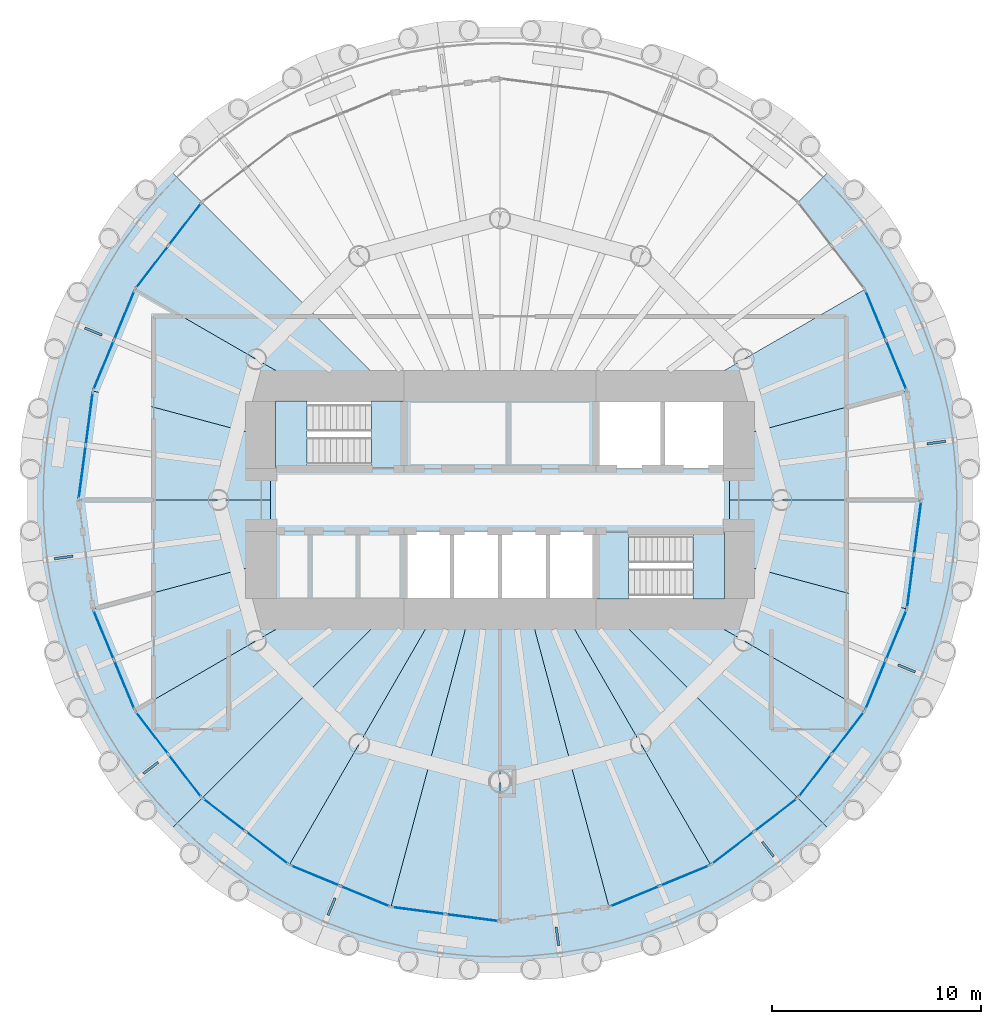
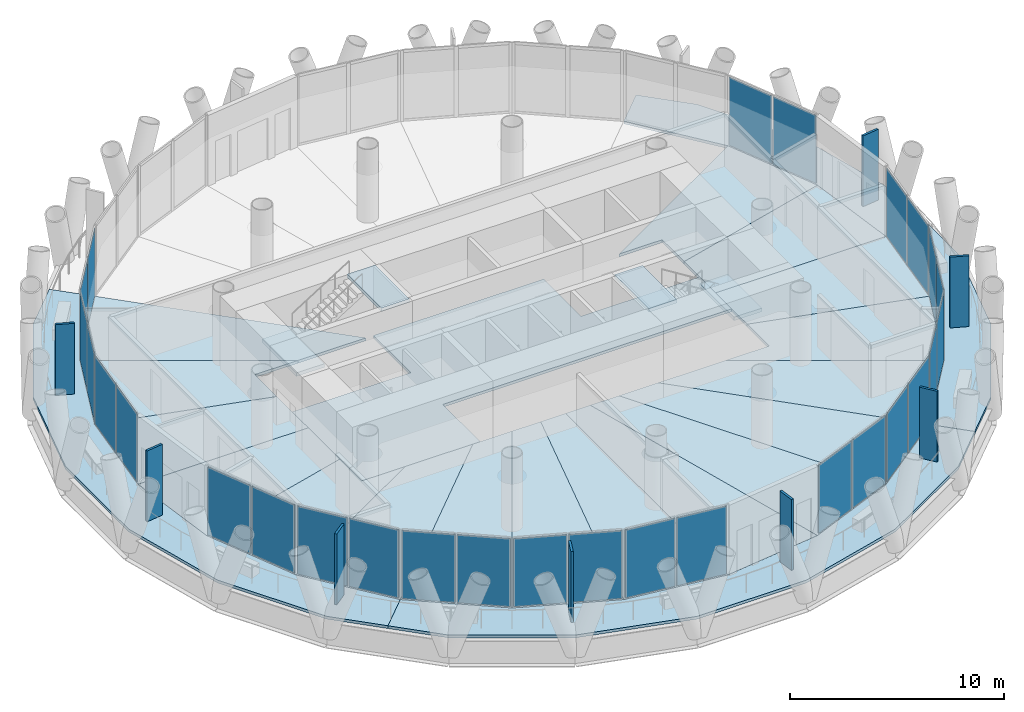
# One storey, part 7 of 13: 36 plates, 25 slabs, 16 elements without a shape of their own.
"""IFC4 building model written with IfcOpenShell, lengths in metres."""

from ifc_helpers import new_model, si_unit, direction, frame, origin, origin_2d, place, context, subcontext, project, spatial, polyline, rectangle, outline, extrude, material, layer, layer_set, type_object, element, aggregate, save


model = new_model("IFC4")

# Units and contexts
model_context = context("Model", 3, precision=1e-05, world=origin(), true_north=direction((0.0, 1.0)))
body_context = subcontext(model_context, "Body", "Model", "MODEL_VIEW")
ifc_project = project(units=[si_unit("LENGTHUNIT", "METRE"), si_unit("AREAUNIT", "SQUARE_METRE"), si_unit("VOLUMEUNIT", "CUBIC_METRE"), si_unit("PLANEANGLEUNIT", "RADIAN"), si_unit("MASSUNIT", "GRAM", prefix="KILO")], contexts=[model_context])

# Site, building, storey
site_placement = place(None, origin())
site = spatial("IfcSite", under=ifc_project, at=site_placement, CompositionType="ELEMENT")
building_placement = place(site_placement, origin())
building = spatial("IfcBuilding", under=site, at=building_placement, Name="Qaws Media Tower", CompositionType="ELEMENT")
storey_placement = place(building_placement, frame((0.0, 0.0, 219.199951171875)))
storey = spatial("IfcBuildingStorey", under=building, at=storey_placement, Name="L50", CompositionType="ELEMENT", Elevation=219.199951171875)

# Slabs
ifc_material_1 = material(Name="Concrete C35/45", Category="concrete")
ifc_layer_1 = layer(ifc_material_1, 0.159912109375)
ifc_layer_set_1 = layer_set([ifc_layer_1], Name="Composite balcony slab 160")
slab_type_1 = type_object("IfcSlabType", Name="Composite balcony slab 160", PredefinedType="FLOOR", material=ifc_layer_set_1)
slab_1_placement = place(storey_placement, frame((0.0, 0.0, -0.159912109375)))
element("IfcSlab", 1, at=slab_1_placement, inside=storey, type_object=slab_type_1, Name="S2 balcony slab L50 R10 to R16, movement joints on R10 and R16", PredefinedType="FLOOR", context=body_context, shape_type="SweptSolid", body=[
    extrude(outline(polyline([(42.0703125, 36.241943359375), (39.120361328125, 41.351318359375), (37.59326171875, 47.050048828125), (37.59326171875, 52.949951171875), (39.120361328125, 58.648681640625), (42.0703125, 63.758056640625), (44.156005859375, 65.843994140625), (45.71630859375, 64.28369140625), (42.50634765625, 60.10009765625), (40.48828125, 55.22802734375), (39.800048828125, 50.0), (40.48828125, 44.77197265625), (42.50634765625, 39.89990234375), (45.71630859375, 35.71630859375), (44.156005859375, 34.156005859375), (42.0703125, 36.241943359375)])), origin(), (0.0, 0.0, 1.0), 0.159912109375),
])
slab_2_placement = place(storey_placement, frame((0.0, 0.0, -0.159912109375)))
element("IfcSlab", 2, at=slab_2_placement, inside=storey, type_object=slab_type_1, Name="S2 balcony slab L50 R16 to R22, movement joints on R16 and R22", PredefinedType="FLOOR", context=body_context, shape_type="SweptSolid", body=[
    extrude(outline(polyline([(73.758056640625, 32.0703125), (68.648681640625, 29.120361328125), (62.949951171875, 27.59326171875), (57.050048828125, 27.59326171875), (51.351318359375, 29.120361328125), (46.241943359375, 32.0703125), (44.156005859375, 34.156005859375), (45.71630859375, 35.71630859375), (49.89990234375, 32.50634765625), (54.77197265625, 30.48828125), (60.0, 29.800048828125), (65.22802734375, 30.48828125), (70.10009765625, 32.50634765625), (74.28369140625, 35.71630859375), (75.843994140625, 34.156005859375), (73.758056640625, 32.0703125)])), origin(), (0.0, 0.0, 1.0), 0.159912109375),
])
slab_3_placement = place(storey_placement, frame((0.0, 0.0, -0.159912109375)))
element("IfcSlab", 3, at=slab_3_placement, inside=storey, type_object=slab_type_1, Name="S2 balcony slab L50 R22 to R04, movement joints on R22 and R04", PredefinedType="FLOOR", context=body_context, shape_type="SweptSolid", body=[
    extrude(outline(polyline([(80.879638671875, 41.351318359375), (77.9296875, 36.241943359375), (75.843994140625, 34.156005859375), (74.28369140625, 35.71630859375), (77.49365234375, 39.89990234375), (79.51171875, 44.77197265625), (80.199951171875, 50.0), (79.51171875, 55.22802734375), (77.49365234375, 60.10009765625), (74.28369140625, 64.28369140625), (75.843994140625, 65.843994140625), (77.9296875, 63.758056640625), (80.879638671875, 58.648681640625), (82.40673828125, 52.949951171875), (82.40673828125, 47.050048828125), (80.879638671875, 41.351318359375)])), origin(), (0.0, 0.0, 1.0), 0.159912109375),
])
ifc_material_2 = material(Name="Concrete C35/45", Category="concrete")
ifc_layer_2 = layer(ifc_material_2, 0.159912109375)
ifc_layer_set_2 = layer_set([ifc_layer_2], Name="Composite floor slab 160")
slab_type_2 = type_object("IfcSlabType", Name="Composite floor slab 160", PredefinedType="FLOOR", material=ifc_layer_set_2)
slab_4_placement = place(storey_placement, frame((0.0, 0.0, -0.159912109375)))
element("IfcSlab", 4, at=slab_4_placement, inside=storey, type_object=slab_type_2, Name="S1 core floor slab L50", PredefinedType="FLOOR", context=body_context, shape_type="SweptSolid", body=[
    extrude(outline(polyline([(71.0, 51.5), (71.0, 48.5), (55.39990234375, 48.5), (55.39990234375, 45.0), (49.0, 45.0), (49.0, 51.5), (55.39990234375, 51.5), (55.39990234375, 55.0), (64.60009765625, 55.0), (64.60009765625, 51.5), (71.0, 51.5)])), origin(), (0.0, 0.0, 1.0), 0.159912109375),
])
slab_5_placement = place(storey_placement, frame((0.0, 0.0, -0.159912109375)))
element("IfcSlab", 5, at=slab_5_placement, inside=storey, type_object=slab_type_2, Name="S1 floor panel L50 on R01+7.5", PredefinedType="FLOOR", context=body_context, shape_type="SweptSolid", body=[
    extrude(outline(polyline([(80.199951171875, 50.0), (71.0, 50.0), (71.0, 52.947509765625), (79.51171875, 55.22802734375), (80.199951171875, 50.0)])), origin(), (0.0, 0.0, 1.0), 0.159912109375),
])
slab_6_placement = place(storey_placement, frame((0.0, 0.0, -0.159912109375)))
element("IfcSlab", 6, at=slab_6_placement, inside=storey, type_object=slab_type_2, Name="S1 floor panel L50 on R02+7.5", PredefinedType="FLOOR", context=body_context, shape_type="SweptSolid", body=[
    extrude(outline(polyline([(79.51171875, 55.22802734375), (71.0, 52.947509765625), (71.0, 55.0), (68.660400390625, 55.0), (77.49365234375, 60.10009765625), (79.51171875, 55.22802734375)])), origin(), (0.0, 0.0, 1.0), 0.159912109375),
])
slab_7_placement = place(storey_placement, frame((0.0, 0.0, -0.159912109375)))
element("IfcSlab", 7, at=slab_7_placement, inside=storey, type_object=slab_type_2, Name="S1 floor panel L50 on R10+7.5", PredefinedType="FLOOR", context=body_context, shape_type="SweptSolid", body=[
    extrude(outline(polyline([(42.50634765625, 60.10009765625), (45.71630859375, 64.28369140625), (55.0, 55.0), (51.339599609375, 55.0), (42.50634765625, 60.10009765625)])), origin(), (0.0, 0.0, 1.0), 0.159912109375),
])
slab_8_placement = place(storey_placement, frame((0.0, 0.0, -0.159912109375)))
element("IfcSlab", 8, at=slab_8_placement, inside=storey, type_object=slab_type_2, Name="S1 floor panel L50 on R11+7.5", PredefinedType="FLOOR", context=body_context, shape_type="SweptSolid", body=[
    extrude(outline(polyline([(40.48828125, 55.22802734375), (42.50634765625, 60.10009765625), (51.339599609375, 55.0), (49.0, 55.0), (49.0, 52.947509765625), (40.48828125, 55.22802734375)])), origin(), (0.0, 0.0, 1.0), 0.159912109375),
])
slab_9_placement = place(storey_placement, frame((0.0, 0.0, -0.159912109375)))
element("IfcSlab", 9, at=slab_9_placement, inside=storey, type_object=slab_type_2, Name="S1 floor panel L50 on R12+7.5", PredefinedType="FLOOR", context=body_context, shape_type="SweptSolid", body=[
    extrude(outline(polyline([(40.48828125, 55.22802734375), (49.0, 52.947509765625), (49.0, 50.0), (39.800048828125, 50.0), (40.48828125, 55.22802734375)])), origin(), (0.0, 0.0, 1.0), 0.159912109375),
])
slab_10_placement = place(storey_placement, frame((0.0, 0.0, -0.159912109375)))
element("IfcSlab", 10, at=slab_10_placement, inside=storey, type_object=slab_type_2, Name="S1 floor panel L50 on R13+7.5", PredefinedType="FLOOR", context=body_context, shape_type="SweptSolid", body=[
    extrude(outline(polyline([(39.800048828125, 50.0), (49.0, 50.0), (49.0, 47.052490234375), (40.48828125, 44.77197265625), (39.800048828125, 50.0)])), origin(), (0.0, 0.0, 1.0), 0.159912109375),
])
slab_11_placement = place(storey_placement, frame((0.0, 0.0, -0.159912109375)))
element("IfcSlab", 11, at=slab_11_placement, inside=storey, type_object=slab_type_2, Name="S1 floor panel L50 on R14+7.5", PredefinedType="FLOOR", context=body_context, shape_type="SweptSolid", body=[
    extrude(outline(polyline([(40.48828125, 44.77197265625), (49.0, 47.052490234375), (49.0, 45.0), (51.339599609375, 45.0), (42.50634765625, 39.89990234375), (40.48828125, 44.77197265625)])), origin(), (0.0, 0.0, 1.0), 0.159912109375),
])
slab_12_placement = place(storey_placement, frame((0.0, 0.0, -0.159912109375)))
element("IfcSlab", 12, at=slab_12_placement, inside=storey, type_object=slab_type_2, Name="S1 floor panel L50 on R15+7.5", PredefinedType="FLOOR", context=body_context, shape_type="SweptSolid", body=[
    extrude(outline(polyline([(42.50634765625, 39.89990234375), (51.339599609375, 45.0), (55.0, 45.0), (45.71630859375, 35.71630859375), (42.50634765625, 39.89990234375)])), origin(), (0.0, 0.0, 1.0), 0.159912109375),
])
slab_13_placement = place(storey_placement, frame((0.0, 0.0, -0.159912109375)))
element("IfcSlab", 13, at=slab_13_placement, inside=storey, type_object=slab_type_2, Name="S1 floor panel L50 on R16+7.5", PredefinedType="FLOOR", context=body_context, shape_type="SweptSolid", body=[
    extrude(outline(polyline([(49.89990234375, 32.50634765625), (45.71630859375, 35.71630859375), (55.0, 45.0), (57.11328125, 45.0), (49.89990234375, 32.50634765625)])), origin(), (0.0, 0.0, 1.0), 0.159912109375),
])
slab_14_placement = place(storey_placement, frame((0.0, 0.0, -0.159912109375)))
element("IfcSlab", 14, at=slab_14_placement, inside=storey, type_object=slab_type_2, Name="S1 floor panel L50 on R17+7.5", PredefinedType="FLOOR", context=body_context, shape_type="SweptSolid", body=[
    extrude(outline(polyline([(54.77197265625, 30.48828125), (49.89990234375, 32.50634765625), (57.11328125, 45.0), (58.660400390625, 45.0), (54.77197265625, 30.48828125)])), origin(), (0.0, 0.0, 1.0), 0.159912109375),
])
slab_15_placement = place(storey_placement, frame((0.0, 0.0, -0.159912109375)))
element("IfcSlab", 15, at=slab_15_placement, inside=storey, type_object=slab_type_2, Name="S1 floor panel L50 on R18+7.5", PredefinedType="FLOOR", context=body_context, shape_type="SweptSolid", body=[
    extrude(outline(polyline([(54.77197265625, 30.48828125), (58.660400390625, 45.0), (60.0, 45.0), (60.0, 29.800048828125), (54.77197265625, 30.48828125)])), origin(), (0.0, 0.0, 1.0), 0.159912109375),
])
slab_16_placement = place(storey_placement, frame((0.0, 0.0, -0.159912109375)))
element("IfcSlab", 16, at=slab_16_placement, inside=storey, type_object=slab_type_2, Name="S1 floor panel L50 on R19+7.5", PredefinedType="FLOOR", context=body_context, shape_type="SweptSolid", body=[
    extrude(outline(polyline([(60.0, 29.800048828125), (60.0, 45.0), (61.339599609375, 45.0), (65.22802734375, 30.48828125), (60.0, 29.800048828125)])), origin(), (0.0, 0.0, 1.0), 0.159912109375),
])
slab_17_placement = place(storey_placement, frame((0.0, 0.0, -0.159912109375)))
element("IfcSlab", 17, at=slab_17_placement, inside=storey, type_object=slab_type_2, Name="S1 floor panel L50 on R20+7.5", PredefinedType="FLOOR", context=body_context, shape_type="SweptSolid", body=[
    extrude(outline(polyline([(70.10009765625, 32.50634765625), (65.22802734375, 30.48828125), (61.339599609375, 45.0), (62.88671875, 45.0), (70.10009765625, 32.50634765625)])), origin(), (0.0, 0.0, 1.0), 0.159912109375),
])
slab_18_placement = place(storey_placement, frame((0.0, 0.0, -0.159912109375)))
element("IfcSlab", 18, at=slab_18_placement, inside=storey, type_object=slab_type_2, Name="S1 floor panel L50 on R21+7.5", PredefinedType="FLOOR", context=body_context, shape_type="SweptSolid", body=[
    extrude(outline(polyline([(74.28369140625, 35.71630859375), (70.10009765625, 32.50634765625), (62.88671875, 45.0), (65.0, 45.0), (74.28369140625, 35.71630859375)])), origin(), (0.0, 0.0, 1.0), 0.159912109375),
])
slab_19_placement = place(storey_placement, frame((0.0, 0.0, -0.159912109375)))
element("IfcSlab", 19, at=slab_19_placement, inside=storey, type_object=slab_type_2, Name="S1 floor panel L50 on R22+7.5", PredefinedType="FLOOR", context=body_context, shape_type="SweptSolid", body=[
    extrude(outline(polyline([(77.49365234375, 39.89990234375), (74.28369140625, 35.71630859375), (65.0, 45.0), (68.660400390625, 45.0), (77.49365234375, 39.89990234375)])), origin(), (0.0, 0.0, 1.0), 0.159912109375),
])
slab_20_placement = place(storey_placement, frame((0.0, 0.0, -0.159912109375)))
element("IfcSlab", 20, at=slab_20_placement, inside=storey, type_object=slab_type_2, Name="S1 floor panel L50 on R23+7.5", PredefinedType="FLOOR", context=body_context, shape_type="SweptSolid", body=[
    extrude(outline(polyline([(77.49365234375, 39.89990234375), (68.660400390625, 45.0), (71.0, 45.0), (71.0, 47.052490234375), (79.51171875, 44.77197265625), (77.49365234375, 39.89990234375)])), origin(), (0.0, 0.0, 1.0), 0.159912109375),
])
slab_21_placement = place(storey_placement, frame((0.0, 0.0, -0.159912109375)))
element("IfcSlab", 21, at=slab_21_placement, inside=storey, type_object=slab_type_2, Name="S1 floor panel L50 on R24+7.5", PredefinedType="FLOOR", context=body_context, shape_type="SweptSolid", body=[
    extrude(outline(polyline([(79.51171875, 44.77197265625), (71.0, 47.052490234375), (71.0, 50.0), (80.199951171875, 50.0), (79.51171875, 44.77197265625)])), origin(), (0.0, 0.0, 1.0), 0.159912109375),
])

# Curtain wall, plates
ifc_material_3 = material(Name="Aluminium and clear glass", Category="aluminium")
curtain_wall_type = type_object("IfcCurtainWallType", Name="Unitised curtain wall CW-C", PredefinedType="NOTDEFINED", material=ifc_material_3)
curtain_wall_1_placement = place(storey_placement, origin())
curtain_wall_1 = element("IfcCurtainWall", 22, at=curtain_wall_1_placement, inside=storey, type_object=curtain_wall_type, Name="CWC curtain wall L50-02", PredefinedType="NOTDEFINED")
ifc_material_4 = material(Name="Clear laminated double glazing", Category="glass")
ifc_layer_3 = layer(ifc_material_4, 0.031982421875)
ifc_layer_set_3 = layer_set([ifc_layer_3], Name="Curtain wall glass unit 32")
plate_type_1 = type_object("IfcPlateType", Name="Curtain wall glass unit 32", PredefinedType="CURTAIN_PANEL", material=ifc_layer_set_3)
plate_1_placement = place(storey_placement, frame((78.99951171875, 56.464599609375, 0.080078125), z_axis=(0.0, 0.0, 1.0), x_axis=(-0.382683527066, 0.923879493285, 0.0)))
plate_1 = element("IfcPlate", 23, at=plate_1_placement, type_object=plate_type_1, Name="CWC panel 1.1", PredefinedType="CURTAIN_PANEL", context=body_context, shape_type="SweptSolid", body=[
    extrude(rectangle(XDim=2.5166015625, YDim=0.031982421875, at=origin_2d()), origin(), (0.0, 0.0, 1.0), 3.8798828125),
])
plate_2_placement = place(storey_placement, frame((78.005859375, 58.863525390625, 0.080078125), z_axis=(0.0, 0.0, 1.0), x_axis=(-0.382683527066, 0.923879493285, 0.0)))
plate_2 = element("IfcPlate", 24, at=plate_2_placement, type_object=plate_type_1, Name="CWC panel 2.1", PredefinedType="CURTAIN_PANEL", context=body_context, shape_type="SweptSolid", body=[
    extrude(rectangle(XDim=2.5166015625, YDim=0.031982421875, at=origin_2d()), origin(), (0.0, 0.0, 1.0), 3.8798828125),
])
aggregate(curtain_wall_1, [plate_1, plate_2])

curtain_wall_2_placement = place(storey_placement, origin())
curtain_wall_2 = element("IfcCurtainWall", 25, at=curtain_wall_2_placement, inside=storey, type_object=curtain_wall_type, Name="CWC curtain wall L50-10", PredefinedType="NOTDEFINED")
plate_3_placement = place(storey_placement, frame((44.901611328125, 63.2216796875, 0.080078125), z_axis=(0.0, 0.0, 1.0), x_axis=(-0.608761406106, -0.793353357865, 0.0)))
plate_3 = element("IfcPlate", 26, at=plate_3_placement, type_object=plate_type_1, Name="CWC panel 1.1", PredefinedType="CURTAIN_PANEL", context=body_context, shape_type="SweptSolid", body=[
    extrude(rectangle(XDim=2.5166015625, YDim=0.031982421875, at=origin_2d()), origin(), (0.0, 0.0, 1.0), 3.8798828125),
])
plate_4_placement = place(storey_placement, frame((43.321044921875, 61.161865234375, 0.080078125), z_axis=(0.0, 0.0, 1.0), x_axis=(-0.608761406106, -0.793353357865, 0.0)))
plate_4 = element("IfcPlate", 27, at=plate_4_placement, type_object=plate_type_1, Name="CWC panel 2.1", PredefinedType="CURTAIN_PANEL", context=body_context, shape_type="SweptSolid", body=[
    extrude(rectangle(XDim=2.5166015625, YDim=0.031982421875, at=origin_2d()), origin(), (0.0, 0.0, 1.0), 3.8798828125),
])
aggregate(curtain_wall_2, [plate_3, plate_4])

curtain_wall_3_placement = place(storey_placement, origin())
curtain_wall_3 = element("IfcCurtainWall", 28, at=curtain_wall_3_placement, inside=storey, type_object=curtain_wall_type, Name="CWC curtain wall L50-11", PredefinedType="NOTDEFINED")
plate_5_placement = place(storey_placement, frame((41.994140625, 58.863525390625, 0.080078125), z_axis=(0.0, 0.0, 1.0), x_axis=(-0.382683527066, -0.923879493285, 0.0)))
plate_5 = element("IfcPlate", 29, at=plate_5_placement, type_object=plate_type_1, Name="CWC panel 1.1", PredefinedType="CURTAIN_PANEL", context=body_context, shape_type="SweptSolid", body=[
    extrude(rectangle(XDim=2.5166015625, YDim=0.031982421875, at=origin_2d()), origin(), (0.0, 0.0, 1.0), 3.8798828125),
])
plate_6_placement = place(storey_placement, frame((41.00048828125, 56.464599609375, 0.080078125), z_axis=(0.0, 0.0, 1.0), x_axis=(-0.382683527066, -0.923879493285, 0.0)))
plate_6 = element("IfcPlate", 30, at=plate_6_placement, type_object=plate_type_1, Name="CWC panel 2.1", PredefinedType="CURTAIN_PANEL", context=body_context, shape_type="SweptSolid", body=[
    extrude(rectangle(XDim=2.5166015625, YDim=0.031982421875, at=origin_2d()), origin(), (0.0, 0.0, 1.0), 3.8798828125),
])
aggregate(curtain_wall_3, [plate_5, plate_6])

curtain_wall_4_placement = place(storey_placement, origin())
curtain_wall_4 = element("IfcCurtainWall", 31, at=curtain_wall_4_placement, inside=storey, type_object=curtain_wall_type, Name="CWC curtain wall L50-12", PredefinedType="NOTDEFINED")
plate_7_placement = place(storey_placement, frame((40.313720703125, 53.9013671875, 0.080078125), z_axis=(0.0, 0.0, 1.0), x_axis=(-0.130526127538, -0.991444869889, 0.0)))
plate_7 = element("IfcPlate", 32, at=plate_7_placement, type_object=plate_type_1, Name="CWC panel 1.1", PredefinedType="CURTAIN_PANEL", context=body_context, shape_type="SweptSolid", body=[
    extrude(rectangle(XDim=2.5166015625, YDim=0.031982421875, at=origin_2d()), origin(), (0.0, 0.0, 1.0), 3.8798828125),
])
plate_8_placement = place(storey_placement, frame((39.974609375, 51.326904296875, 0.080078125), z_axis=(0.0, 0.0, 1.0), x_axis=(-0.130526127538, -0.991444869889, 0.0)))
plate_8 = element("IfcPlate", 33, at=plate_8_placement, type_object=plate_type_1, Name="CWC panel 2.1", PredefinedType="CURTAIN_PANEL", context=body_context, shape_type="SweptSolid", body=[
    extrude(rectangle(XDim=2.5166015625, YDim=0.031982421875, at=origin_2d()), origin(), (0.0, 0.0, 1.0), 3.8798828125),
])
aggregate(curtain_wall_4, [plate_7, plate_8])

curtain_wall_5_placement = place(storey_placement, origin())
curtain_wall_5 = element("IfcCurtainWall", 34, at=curtain_wall_5_placement, inside=storey, type_object=curtain_wall_type, Name="CWC curtain wall L50-14", PredefinedType="NOTDEFINED")
plate_9_placement = place(storey_placement, frame((41.00048828125, 43.535400390625, 0.080078125), z_axis=(0.0, 0.0, 1.0), x_axis=(0.382683527066, -0.923879493285, 0.0)))
plate_9 = element("IfcPlate", 35, at=plate_9_placement, type_object=plate_type_1, Name="CWC panel 1.1", PredefinedType="CURTAIN_PANEL", context=body_context, shape_type="SweptSolid", body=[
    extrude(rectangle(XDim=2.5166015625, YDim=0.031982421875, at=origin_2d()), origin(), (0.0, 0.0, 1.0), 3.8798828125),
])
plate_10_placement = place(storey_placement, frame((41.994140625, 41.136474609375, 0.080078125), z_axis=(0.0, 0.0, 1.0), x_axis=(0.382683527066, -0.923879493285, 0.0)))
plate_10 = element("IfcPlate", 36, at=plate_10_placement, type_object=plate_type_1, Name="CWC panel 2.1", PredefinedType="CURTAIN_PANEL", context=body_context, shape_type="SweptSolid", body=[
    extrude(rectangle(XDim=2.5166015625, YDim=0.031982421875, at=origin_2d()), origin(), (0.0, 0.0, 1.0), 3.8798828125),
])
aggregate(curtain_wall_5, [plate_9, plate_10])

curtain_wall_6_placement = place(storey_placement, origin())
curtain_wall_6 = element("IfcCurtainWall", 37, at=curtain_wall_6_placement, inside=storey, type_object=curtain_wall_type, Name="CWC curtain wall L50-15", PredefinedType="NOTDEFINED")
plate_11_placement = place(storey_placement, frame((43.321044921875, 38.838134765625, 0.080078125), z_axis=(0.0, 0.0, 1.0), x_axis=(0.608761406106, -0.793353357865, 0.0)))
plate_11 = element("IfcPlate", 38, at=plate_11_placement, type_object=plate_type_1, Name="CWC panel 1.1", PredefinedType="CURTAIN_PANEL", context=body_context, shape_type="SweptSolid", body=[
    extrude(rectangle(XDim=2.5166015625, YDim=0.031982421875, at=origin_2d()), origin(), (0.0, 0.0, 1.0), 3.8798828125),
])
plate_12_placement = place(storey_placement, frame((44.901611328125, 36.7783203125, 0.080078125), z_axis=(0.0, 0.0, 1.0), x_axis=(0.608761406106, -0.793353357865, 0.0)))
plate_12 = element("IfcPlate", 39, at=plate_12_placement, type_object=plate_type_1, Name="CWC panel 2.1", PredefinedType="CURTAIN_PANEL", context=body_context, shape_type="SweptSolid", body=[
    extrude(rectangle(XDim=2.5166015625, YDim=0.031982421875, at=origin_2d()), origin(), (0.0, 0.0, 1.0), 3.8798828125),
])
aggregate(curtain_wall_6, [plate_11, plate_12])

curtain_wall_7_placement = place(storey_placement, origin())
curtain_wall_7 = element("IfcCurtainWall", 40, at=curtain_wall_7_placement, inside=storey, type_object=curtain_wall_type, Name="CWC curtain wall L50-16", PredefinedType="NOTDEFINED")
plate_13_placement = place(storey_placement, frame((46.7783203125, 34.901611328125, 0.080078125), z_axis=(0.0, 0.0, 1.0), x_axis=(0.793353357865, -0.608761406106, 0.0)))
plate_13 = element("IfcPlate", 41, at=plate_13_placement, type_object=plate_type_1, Name="CWC panel 1.1", PredefinedType="CURTAIN_PANEL", context=body_context, shape_type="SweptSolid", body=[
    extrude(rectangle(XDim=2.5166015625, YDim=0.031982421875, at=origin_2d()), origin(), (0.0, 0.0, 1.0), 3.8798828125),
])
plate_14_placement = place(storey_placement, frame((48.838134765625, 33.321044921875, 0.080078125), z_axis=(0.0, 0.0, 1.0), x_axis=(0.793353357865, -0.608761406106, 0.0)))
plate_14 = element("IfcPlate", 42, at=plate_14_placement, type_object=plate_type_1, Name="CWC panel 2.1", PredefinedType="CURTAIN_PANEL", context=body_context, shape_type="SweptSolid", body=[
    extrude(rectangle(XDim=2.5166015625, YDim=0.031982421875, at=origin_2d()), origin(), (0.0, 0.0, 1.0), 3.8798828125),
])
aggregate(curtain_wall_7, [plate_13, plate_14])

curtain_wall_8_placement = place(storey_placement, origin())
curtain_wall_8 = element("IfcCurtainWall", 43, at=curtain_wall_8_placement, inside=storey, type_object=curtain_wall_type, Name="CWC curtain wall L50-17", PredefinedType="NOTDEFINED")
plate_15_placement = place(storey_placement, frame((51.136474609375, 31.994140625, 0.080078125), z_axis=(0.0, 0.0, 1.0), x_axis=(0.923879493285, -0.382683527066, 0.0)))
plate_15 = element("IfcPlate", 44, at=plate_15_placement, type_object=plate_type_1, Name="CWC panel 1.1", PredefinedType="CURTAIN_PANEL", context=body_context, shape_type="SweptSolid", body=[
    extrude(rectangle(XDim=2.5166015625, YDim=0.031982421875, at=origin_2d()), origin(), (0.0, 0.0, 1.0), 3.8798828125),
])
plate_16_placement = place(storey_placement, frame((53.535400390625, 31.00048828125, 0.080078125), z_axis=(0.0, 0.0, 1.0), x_axis=(0.923879493285, -0.382683527066, 0.0)))
plate_16 = element("IfcPlate", 45, at=plate_16_placement, type_object=plate_type_1, Name="CWC panel 2.1", PredefinedType="CURTAIN_PANEL", context=body_context, shape_type="SweptSolid", body=[
    extrude(rectangle(XDim=2.5166015625, YDim=0.031982421875, at=origin_2d()), origin(), (0.0, 0.0, 1.0), 3.8798828125),
])
aggregate(curtain_wall_8, [plate_15, plate_16])

curtain_wall_9_placement = place(storey_placement, origin())
curtain_wall_9 = element("IfcCurtainWall", 46, at=curtain_wall_9_placement, inside=storey, type_object=curtain_wall_type, Name="CWC curtain wall L50-18", PredefinedType="NOTDEFINED")
plate_17_placement = place(storey_placement, frame((56.0986328125, 30.313720703125, 0.080078125), z_axis=(0.0, 0.0, 1.0), x_axis=(0.991444869889, -0.130526127538, 0.0)))
plate_17 = element("IfcPlate", 47, at=plate_17_placement, type_object=plate_type_1, Name="CWC panel 1.1", PredefinedType="CURTAIN_PANEL", context=body_context, shape_type="SweptSolid", body=[
    extrude(rectangle(XDim=2.5166015625, YDim=0.031982421875, at=origin_2d()), origin(), (0.0, 0.0, 1.0), 3.8798828125),
])
plate_18_placement = place(storey_placement, frame((58.673095703125, 29.974609375, 0.080078125), z_axis=(0.0, 0.0, 1.0), x_axis=(0.991444869889, -0.130526127538, 0.0)))
plate_18 = element("IfcPlate", 48, at=plate_18_placement, type_object=plate_type_1, Name="CWC panel 2.1", PredefinedType="CURTAIN_PANEL", context=body_context, shape_type="SweptSolid", body=[
    extrude(rectangle(XDim=2.5166015625, YDim=0.031982421875, at=origin_2d()), origin(), (0.0, 0.0, 1.0), 3.8798828125),
])
aggregate(curtain_wall_9, [plate_17, plate_18])

curtain_wall_10_placement = place(storey_placement, origin())
curtain_wall_10 = element("IfcCurtainWall", 49, at=curtain_wall_10_placement, inside=storey, type_object=curtain_wall_type, Name="CWC curtain wall L50-20", PredefinedType="NOTDEFINED")
plate_19_placement = place(storey_placement, frame((66.464599609375, 31.00048828125, 0.080078125), z_axis=(0.0, 0.0, 1.0), x_axis=(0.923879493285, 0.382683527066, 0.0)))
plate_19 = element("IfcPlate", 50, at=plate_19_placement, type_object=plate_type_1, Name="CWC panel 1.1", PredefinedType="CURTAIN_PANEL", context=body_context, shape_type="SweptSolid", body=[
    extrude(rectangle(XDim=2.5166015625, YDim=0.031982421875, at=origin_2d()), origin(), (0.0, 0.0, 1.0), 3.8798828125),
])
plate_20_placement = place(storey_placement, frame((68.863525390625, 31.994140625, 0.080078125), z_axis=(0.0, 0.0, 1.0), x_axis=(0.923879493285, 0.382683527066, 0.0)))
plate_20 = element("IfcPlate", 51, at=plate_20_placement, type_object=plate_type_1, Name="CWC panel 2.1", PredefinedType="CURTAIN_PANEL", context=body_context, shape_type="SweptSolid", body=[
    extrude(rectangle(XDim=2.5166015625, YDim=0.031982421875, at=origin_2d()), origin(), (0.0, 0.0, 1.0), 3.8798828125),
])
aggregate(curtain_wall_10, [plate_19, plate_20])

curtain_wall_11_placement = place(storey_placement, origin())
curtain_wall_11 = element("IfcCurtainWall", 52, at=curtain_wall_11_placement, inside=storey, type_object=curtain_wall_type, Name="CWC curtain wall L50-21", PredefinedType="NOTDEFINED")
plate_21_placement = place(storey_placement, frame((71.161865234375, 33.321044921875, 0.080078125), z_axis=(0.0, 0.0, 1.0), x_axis=(0.793353357865, 0.608761406106, 0.0)))
plate_21 = element("IfcPlate", 53, at=plate_21_placement, type_object=plate_type_1, Name="CWC panel 1.1", PredefinedType="CURTAIN_PANEL", context=body_context, shape_type="SweptSolid", body=[
    extrude(rectangle(XDim=2.5166015625, YDim=0.031982421875, at=origin_2d()), origin(), (0.0, 0.0, 1.0), 3.8798828125),
])
plate_22_placement = place(storey_placement, frame((73.2216796875, 34.901611328125, 0.080078125), z_axis=(0.0, 0.0, 1.0), x_axis=(0.793353357865, 0.608761406106, 0.0)))
plate_22 = element("IfcPlate", 54, at=plate_22_placement, type_object=plate_type_1, Name="CWC panel 2.1", PredefinedType="CURTAIN_PANEL", context=body_context, shape_type="SweptSolid", body=[
    extrude(rectangle(XDim=2.5166015625, YDim=0.031982421875, at=origin_2d()), origin(), (0.0, 0.0, 1.0), 3.8798828125),
])
aggregate(curtain_wall_11, [plate_21, plate_22])

curtain_wall_12_placement = place(storey_placement, origin())
curtain_wall_12 = element("IfcCurtainWall", 55, at=curtain_wall_12_placement, inside=storey, type_object=curtain_wall_type, Name="CWC curtain wall L50-22", PredefinedType="NOTDEFINED")
plate_23_placement = place(storey_placement, frame((75.098388671875, 36.7783203125, 0.080078125), z_axis=(0.0, 0.0, 1.0), x_axis=(0.608761406106, 0.793353357865, 0.0)))
plate_23 = element("IfcPlate", 56, at=plate_23_placement, type_object=plate_type_1, Name="CWC panel 1.1", PredefinedType="CURTAIN_PANEL", context=body_context, shape_type="SweptSolid", body=[
    extrude(rectangle(XDim=2.5166015625, YDim=0.031982421875, at=origin_2d()), origin(), (0.0, 0.0, 1.0), 3.8798828125),
])
plate_24_placement = place(storey_placement, frame((76.678955078125, 38.838134765625, 0.080078125), z_axis=(0.0, 0.0, 1.0), x_axis=(0.608761406106, 0.793353357865, 0.0)))
plate_24 = element("IfcPlate", 57, at=plate_24_placement, type_object=plate_type_1, Name="CWC panel 2.1", PredefinedType="CURTAIN_PANEL", context=body_context, shape_type="SweptSolid", body=[
    extrude(rectangle(XDim=2.5166015625, YDim=0.031982421875, at=origin_2d()), origin(), (0.0, 0.0, 1.0), 3.8798828125),
])
aggregate(curtain_wall_12, [plate_23, plate_24])

curtain_wall_13_placement = place(storey_placement, origin())
curtain_wall_13 = element("IfcCurtainWall", 58, at=curtain_wall_13_placement, inside=storey, type_object=curtain_wall_type, Name="CWC curtain wall L50-23", PredefinedType="NOTDEFINED")
plate_25_placement = place(storey_placement, frame((78.005859375, 41.136474609375, 0.080078125), z_axis=(0.0, 0.0, 1.0), x_axis=(0.382683527066, 0.923879493285, 0.0)))
plate_25 = element("IfcPlate", 59, at=plate_25_placement, type_object=plate_type_1, Name="CWC panel 1.1", PredefinedType="CURTAIN_PANEL", context=body_context, shape_type="SweptSolid", body=[
    extrude(rectangle(XDim=2.5166015625, YDim=0.031982421875, at=origin_2d()), origin(), (0.0, 0.0, 1.0), 3.8798828125),
])
plate_26_placement = place(storey_placement, frame((78.99951171875, 43.535400390625, 0.080078125), z_axis=(0.0, 0.0, 1.0), x_axis=(0.382683527066, 0.923879493285, 0.0)))
plate_26 = element("IfcPlate", 60, at=plate_26_placement, type_object=plate_type_1, Name="CWC panel 2.1", PredefinedType="CURTAIN_PANEL", context=body_context, shape_type="SweptSolid", body=[
    extrude(rectangle(XDim=2.5166015625, YDim=0.031982421875, at=origin_2d()), origin(), (0.0, 0.0, 1.0), 3.8798828125),
])
aggregate(curtain_wall_13, [plate_25, plate_26])

curtain_wall_14_placement = place(storey_placement, origin())
curtain_wall_14 = element("IfcCurtainWall", 61, at=curtain_wall_14_placement, inside=storey, type_object=curtain_wall_type, Name="CWC curtain wall L50-24", PredefinedType="NOTDEFINED")
plate_27_placement = place(storey_placement, frame((79.686279296875, 46.0986328125, 0.080078125), z_axis=(0.0, 0.0, 1.0), x_axis=(0.130526127538, 0.991444869889, 0.0)))
plate_27 = element("IfcPlate", 62, at=plate_27_placement, type_object=plate_type_1, Name="CWC panel 1.1", PredefinedType="CURTAIN_PANEL", context=body_context, shape_type="SweptSolid", body=[
    extrude(rectangle(XDim=2.5166015625, YDim=0.031982421875, at=origin_2d()), origin(), (0.0, 0.0, 1.0), 3.8798828125),
])
plate_28_placement = place(storey_placement, frame((80.025390625, 48.673095703125, 0.080078125), z_axis=(0.0, 0.0, 1.0), x_axis=(0.130526127538, 0.991444869889, 0.0)))
plate_28 = element("IfcPlate", 63, at=plate_28_placement, type_object=plate_type_1, Name="CWC panel 2.1", PredefinedType="CURTAIN_PANEL", context=body_context, shape_type="SweptSolid", body=[
    extrude(rectangle(XDim=2.5166015625, YDim=0.031982421875, at=origin_2d()), origin(), (0.0, 0.0, 1.0), 3.8798828125),
])
aggregate(curtain_wall_14, [plate_27, plate_28])

# Plates
ifc_material_5 = material(Name="Precast concrete screen fin", Category="concrete")
ifc_layer_4 = layer(ifc_material_5, 0.1201171875)
ifc_layer_set_4 = layer_set([ifc_layer_4], Name="Screen fin 120x900")
plate_type_2 = type_object("IfcPlateType", Name="Screen fin 120x900", PredefinedType="USERDEFINED", material=ifc_layer_set_4)
for number, where, z_axis, x_axis, name in (
    (64, (80.91943359375, 52.754150390625, 0.0), (0.0, 0.0, 1.0), (0.991444861374, 0.13052619222, 0.0), "SCR1 screen fin L50-01"),
    (65, (40.506103515625, 58.07470703125, 0.0), (0.0, 0.0, 1.0), (-0.923879532511, 0.382683432365, 0.0), "SCR1 screen fin L50-06"),
    (66, (39.08056640625, 47.245849609375, 0.0), (0.0, 0.0, 1.0), (-0.991444861374, -0.13052619222, 0.0), "SCR1 screen fin L50-07"),
    (67, (43.26025390625, 37.155029296875, 0.0), (0.0, 0.0, 1.0), (-0.793353340291, -0.608761429009, 0.0), "SCR1 screen fin L50-08"),
    (68, (51.92529296875, 30.506103515625, 0.0), (0.0, 0.0, 1.0), (-0.382683432365, -0.923879532511, 0.0), "SCR1 screen fin L50-09"),
    (69, (62.754150390625, 29.08056640625, 0.0), (0.0, 0.0, 1.0), (0.13052619222, -0.991444861374, 0.0), "SCR1 screen fin L50-10"),
    (70, (72.844970703125, 33.26025390625, 0.0), (0.0, 0.0, 1.0), (0.608761429009, -0.793353340291, 0.0), "SCR1 screen fin L50-11"),
    (71, (79.493896484375, 41.92529296875, 0.0), (0.0, 0.0, 1.0), (0.923879532511, -0.382683432365, 0.0), "SCR1 screen fin L50-12"),
):
    element("IfcPlate", number, at=place(storey_placement, frame(where, z_axis=z_axis, x_axis=x_axis)), inside=storey, type_object=plate_type_2, Name=name, ObjectType="SCREEN", PredefinedType="USERDEFINED", context=body_context, shape_type="SweptSolid", body=[
        extrude(rectangle(XDim=0.89990234375, YDim=0.1201171875, at=origin_2d()), origin(), (0.0, 0.0, 1.0), 4.0400390625),
    ])

# Stair, slabs
ifc_material_6 = material(Name="Concrete C40/50", Category="concrete")
stair_type = type_object("IfcStairType", Name="Exit stair", PredefinedType="HALF_TURN_STAIR", material=ifc_material_6)
stair_1_placement = place(storey_placement, origin())
stair_1 = element("IfcStair", 72, at=stair_1_placement, inside=storey, type_object=stair_type, Name="S1 exit stair L50", PredefinedType="HALF_TURN_STAIR")
ifc_material_7 = material(Name="Concrete C40/50", Category="concrete")
ifc_layer_5 = layer(ifc_material_7, 0.199951171875)
ifc_layer_set_5 = layer_set([ifc_layer_5], Name="Stair landing 200")
slab_type_3 = type_object("IfcSlabType", Name="Stair landing 200", PredefinedType="LANDING", material=ifc_layer_set_5)
slab_22_placement = place(storey_placement, frame((0.0, 0.0, 1.900146484375)))
slab_22 = element("IfcSlab", 73, at=slab_22_placement, type_object=slab_type_3, Name="S1 landing 1", PredefinedType="LANDING", context=body_context, shape_type="SweptSolid", body=[
    extrude(outline(polyline([(49.25, 51.550048828125), (50.760009765625, 51.550048828125), (50.760009765625, 54.75), (49.25, 54.75), (49.25, 51.550048828125)])), origin(), (0.0, 0.0, 1.0), 0.199951171875),
])
slab_23_placement = place(storey_placement, frame((0.0, 0.0, 4.0)))
slab_23 = element("IfcSlab", 74, at=slab_23_placement, type_object=slab_type_3, Name="S1 landing 2", PredefinedType="LANDING", context=body_context, shape_type="SweptSolid", body=[
    extrude(outline(polyline([(53.840087890625, 51.550048828125), (55.35009765625, 51.550048828125), (55.35009765625, 54.75), (53.840087890625, 54.75), (53.840087890625, 51.550048828125)])), origin(), (0.0, 0.0, 1.0), 0.199951171875),
])
aggregate(stair_1, [slab_22, slab_23])

stair_2_placement = place(storey_placement, origin())
stair_2 = element("IfcStair", 75, at=stair_2_placement, inside=storey, type_object=stair_type, Name="S2 exit stair L50", PredefinedType="HALF_TURN_STAIR")
slab_24_placement = place(storey_placement, frame((0.0, 0.0, 1.900146484375)))
slab_24 = element("IfcSlab", 76, at=slab_24_placement, type_object=slab_type_3, Name="S2 landing 1", PredefinedType="LANDING", context=body_context, shape_type="SweptSolid", body=[
    extrude(outline(polyline([(69.239990234375, 45.25), (70.75, 45.25), (70.75, 48.449951171875), (69.239990234375, 48.449951171875), (69.239990234375, 45.25)])), origin(), (0.0, 0.0, 1.0), 0.199951171875),
])
slab_25_placement = place(storey_placement, frame((0.0, 0.0, 4.0)))
slab_25 = element("IfcSlab", 77, at=slab_25_placement, type_object=slab_type_3, Name="S2 landing 2", PredefinedType="LANDING", context=body_context, shape_type="SweptSolid", body=[
    extrude(outline(polyline([(64.64990234375, 45.25), (66.159912109375, 45.25), (66.159912109375, 48.449951171875), (64.64990234375, 48.449951171875), (64.64990234375, 45.25)])), origin(), (0.0, 0.0, 1.0), 0.199951171875),
])
aggregate(stair_2, [slab_24, slab_25])

save(model, "model.ifc")
